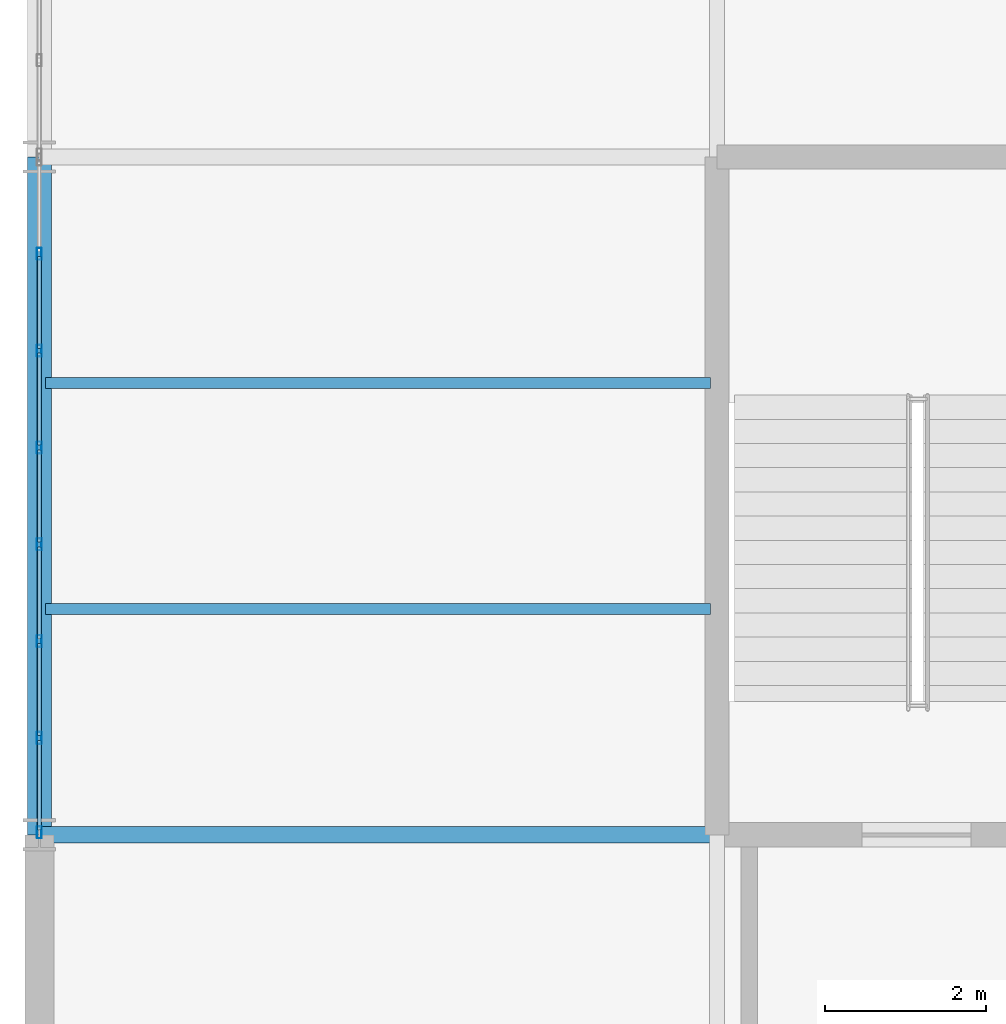
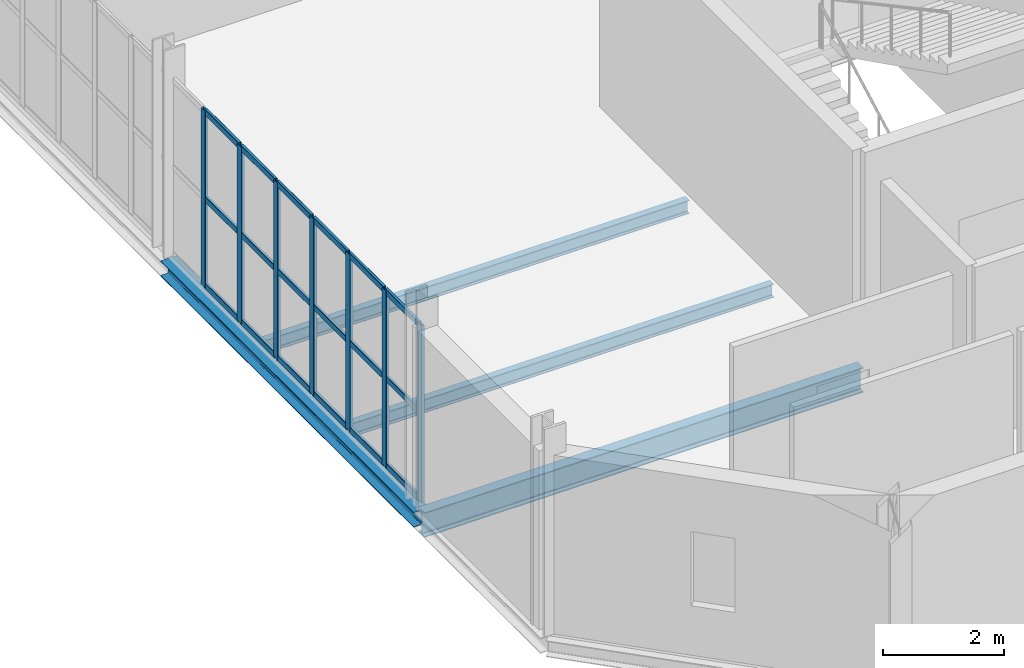
# One storey, part 26 of 163: 25 members, 4 beams, 1 element without a shape of its own.
"""IFC4 building model written with IfcOpenShell, lengths in metres."""

from ifc_helpers import new_model, si_unit, direction, frame, origin, origin_2d, place, context, subcontext, project, spatial, hollow_rectangle, i_section, extrude, material, layer, layer_set, material_profile, profile_set, type_object, element, aggregate, save


model = new_model("IFC4")

# Units and contexts
model_context = context("Model", 3, precision=1e-05, world=origin(), true_north=direction((0.0, 1.0)))
body_context = subcontext(model_context, "Body", "Model", "MODEL_VIEW")
ifc_project = project(units=[si_unit("LENGTHUNIT", "METRE"), si_unit("AREAUNIT", "SQUARE_METRE"), si_unit("VOLUMEUNIT", "CUBIC_METRE"), si_unit("PLANEANGLEUNIT", "RADIAN"), si_unit("MASSUNIT", "GRAM", prefix="KILO")], contexts=[model_context])

# Site, building, storey
site_placement = place(None, origin())
site = spatial("IfcSite", under=ifc_project, at=site_placement, CompositionType="ELEMENT")
building_placement = place(site_placement, origin())
building = spatial("IfcBuilding", under=site, at=building_placement, Name="Qalvenar Corner Mobility Hub", CompositionType="ELEMENT")
storey_placement = place(building_placement, frame((0.0, 0.0, 4.800048828125)))
storey = spatial("IfcBuildingStorey", under=building, at=storey_placement, Name="L01", CompositionType="ELEMENT", Elevation=4.800048828125)

# Beams
ifc_material_1 = material(Name="Steel S355", Category="steel")
ifc_material_profile_1 = material_profile(ifc_material_1, i_section(OverallWidth=0.199951171875, OverallDepth=0.5, WebThickness=0.01025390625, FlangeThickness=0.01611328125, FilletRadius=0.02099609375, at=origin_2d()), Name="IPE500")
ifc_profile_set_1 = profile_set([ifc_material_profile_1], Name="Steel S355")
beam_type_1 = type_object("IfcBeamType", Name="BM-IPE500", PredefinedType="BEAM", material=ifc_profile_set_1)
beam_1_placement = place(storey_placement, frame((0.0, 8.39990234375, -0.429931640625), z_axis=(1.0, 0.0, 0.0), x_axis=(0.0, 1.0, 0.0)))
element("IfcBeam", 1, at=beam_1_placement, inside=storey, type_object=beam_type_1, Name="Primary Steel Girder GX-0821", PredefinedType="BEAM", context=body_context, shape_type="SweptSolid", body=[
    extrude(i_section(OverallWidth=0.199951171875, OverallDepth=0.5, WebThickness=0.01025390625, FlangeThickness=0.01611328125, FilletRadius=0.02099609375, at=origin_2d()), origin(), (0.0, 0.0, 1.0), 8.39990234375),
])
ifc_material_profile_2 = material_profile(ifc_material_1, i_section(OverallWidth=0.135009765625, OverallDepth=0.27001953125, WebThickness=0.006591796875, FlangeThickness=0.01025390625, FilletRadius=0.014892578125, at=origin_2d()), Name="IPE270")
ifc_profile_set_2 = profile_set([ifc_material_profile_2], Name="Steel S355")
beam_type_2 = type_object("IfcBeamType", Name="BM-JST270", PredefinedType="JOIST", material=ifc_profile_set_2)
for number, where, z_axis, x_axis, name in (
    (2, (0.077880859375, 11.199951171875, -0.31494140625), (1.0, 0.0, 0.0), (0.0, 1.0, 0.0), "Composite Floor Joist J-0889"),
    (3, (0.077880859375, 14.0, -0.31494140625), (1.0, 0.0, 0.0), (0.0, 1.0, 0.0), "Composite Floor Joist J-0890"),
):
    element("IfcBeam", number, at=place(storey_placement, frame(where, z_axis=z_axis, x_axis=x_axis)), inside=storey, type_object=beam_type_2, Name=name, PredefinedType="JOIST", context=body_context, shape_type="SweptSolid", body=[
        extrude(i_section(OverallWidth=0.135009765625, OverallDepth=0.27001953125, WebThickness=0.006591796875, FlangeThickness=0.01025390625, FilletRadius=0.014892578125, at=origin_2d()), origin(), (0.0, 0.0, 1.0), 8.244140625),
    ])
ifc_material_profile_3 = material_profile(ifc_material_1, i_section(OverallWidth=0.300048828125, OverallDepth=0.31005859375, WebThickness=0.009033203125, FlangeThickness=0.015380859375, FilletRadius=0.027099609375, at=origin_2d()), Name="HEA320")
ifc_profile_set_3 = profile_set([ifc_material_profile_3], Name="Steel S355")
beam_type_3 = type_object("IfcBeamType", Name="BM-SPN320", PredefinedType="SPANDREL", material=ifc_profile_set_3)
beam_2_placement = place(storey_placement, frame((0.0, 8.39990234375, -0.3349609375), z_axis=(0.0, 1.0, 0.0), x_axis=(-1.0, 0.0, 0.0)))
element("IfcBeam", 4, at=beam_2_placement, inside=storey, type_object=beam_type_3, Name="Primary Steel Girder GY-0852", PredefinedType="SPANDREL", context=body_context, shape_type="SweptSolid", body=[
    extrude(i_section(OverallWidth=0.300048828125, OverallDepth=0.31005859375, WebThickness=0.009033203125, FlangeThickness=0.015380859375, FilletRadius=0.027099609375, at=origin_2d()), origin(), (0.0, 0.0, 1.0), 8.400146484375),
])

# Curtain wall, members
ifc_material_2 = material(Name="Anodised Aluminium and Low-E Glazing", Category="aluminium")
ifc_layer = layer(ifc_material_2, 0.14990234375)
ifc_layer_set = layer_set([ifc_layer], Name="Anodised Aluminium and Low-E Glazing")
curtain_wall_type = type_object("IfcCurtainWallType", Name="CW-CIV-84X40", PredefinedType="NOTDEFINED", material=ifc_layer_set)
curtain_wall_placement = place(storey_placement, origin())
curtain_wall = element("IfcCurtainWall", 5, at=curtain_wall_placement, inside=storey, type_object=curtain_wall_type, Name="Glazed Curtain Wall CW-V3-L01-W1", PredefinedType="NOTDEFINED")
ifc_material_3 = material(Name="Anodised Aluminium 6063-T6", Category="aluminium")
ifc_material_profile_4 = material_profile(ifc_material_3, hollow_rectangle(XDim=0.06005859375, YDim=0.14990234375, WallThickness=0.00390625, InnerFilletRadius=0.00390625, OuterFilletRadius=0.008056640625, at=origin_2d()), Name="RHS150x60x4")
ifc_profile_set_4 = profile_set([ifc_material_profile_4], Name="Anodised Aluminium 6063-T6")
member_type_1 = type_object("IfcMemberType", Name="CW-MUL150", PredefinedType="MULLION", material=ifc_profile_set_4)
member_1_placement = place(storey_placement, frame((0.0, 15.60009765625, 0.0), z_axis=(0.0, 0.0, 1.0), x_axis=(1.0, 0.0, 0.0)))
member_1 = element("IfcMember", 6, at=member_1_placement, type_object=member_type_1, Name="CW-05 mullion 2", PredefinedType="MULLION", context=body_context, shape_type="SweptSolid", body=[
    extrude(hollow_rectangle(XDim=0.06005859375, YDim=0.14990234375, WallThickness=0.00390625, InnerFilletRadius=0.00390625, OuterFilletRadius=0.008056640625, at=origin_2d()), origin(), (0.0, 0.0, 1.0), 3.570068359375),
])
member_2_placement = place(storey_placement, frame((0.0, 14.39990234375, 0.0), z_axis=(0.0, 0.0, 1.0), x_axis=(1.0, 0.0, 0.0)))
member_2 = element("IfcMember", 7, at=member_2_placement, type_object=member_type_1, Name="CW-05 mullion 3", PredefinedType="MULLION", context=body_context, shape_type="SweptSolid", body=[
    extrude(hollow_rectangle(XDim=0.06005859375, YDim=0.14990234375, WallThickness=0.00390625, InnerFilletRadius=0.00390625, OuterFilletRadius=0.008056640625, at=origin_2d()), origin(), (0.0, 0.0, 1.0), 3.570068359375),
])
member_3_placement = place(storey_placement, frame((0.0, 13.199951171875, 0.0), z_axis=(0.0, 0.0, 1.0), x_axis=(1.0, 0.0, 0.0)))
member_3 = element("IfcMember", 8, at=member_3_placement, type_object=member_type_1, Name="CW-05 mullion 4", PredefinedType="MULLION", context=body_context, shape_type="SweptSolid", body=[
    extrude(hollow_rectangle(XDim=0.06005859375, YDim=0.14990234375, WallThickness=0.00390625, InnerFilletRadius=0.00390625, OuterFilletRadius=0.008056640625, at=origin_2d()), origin(), (0.0, 0.0, 1.0), 3.570068359375),
])
member_4_placement = place(storey_placement, frame((0.0, 12.0, 0.0), z_axis=(0.0, 0.0, 1.0), x_axis=(1.0, 0.0, 0.0)))
member_4 = element("IfcMember", 9, at=member_4_placement, type_object=member_type_1, Name="CW-05 mullion 5", PredefinedType="MULLION", context=body_context, shape_type="SweptSolid", body=[
    extrude(hollow_rectangle(XDim=0.06005859375, YDim=0.14990234375, WallThickness=0.00390625, InnerFilletRadius=0.00390625, OuterFilletRadius=0.008056640625, at=origin_2d()), origin(), (0.0, 0.0, 1.0), 3.570068359375),
])
member_5_placement = place(storey_placement, frame((0.0, 10.800048828125, 0.0), z_axis=(0.0, 0.0, 1.0), x_axis=(1.0, 0.0, 0.0)))
member_5 = element("IfcMember", 10, at=member_5_placement, type_object=member_type_1, Name="CW-05 mullion 6", PredefinedType="MULLION", context=body_context, shape_type="SweptSolid", body=[
    extrude(hollow_rectangle(XDim=0.06005859375, YDim=0.14990234375, WallThickness=0.00390625, InnerFilletRadius=0.00390625, OuterFilletRadius=0.008056640625, at=origin_2d()), origin(), (0.0, 0.0, 1.0), 3.570068359375),
])
member_6_placement = place(storey_placement, frame((0.0, 9.60009765625, 0.0), z_axis=(0.0, 0.0, 1.0), x_axis=(1.0, 0.0, 0.0)))
member_6 = element("IfcMember", 11, at=member_6_placement, type_object=member_type_1, Name="CW-05 mullion 7", PredefinedType="MULLION", context=body_context, shape_type="SweptSolid", body=[
    extrude(hollow_rectangle(XDim=0.06005859375, YDim=0.14990234375, WallThickness=0.00390625, InnerFilletRadius=0.00390625, OuterFilletRadius=0.008056640625, at=origin_2d()), origin(), (0.0, 0.0, 1.0), 3.570068359375),
])
member_7_placement = place(storey_placement, frame((0.0, 8.429931640625, 0.0), z_axis=(0.0, 0.0, 1.0), x_axis=(1.0, 0.0, 0.0)))
member_7 = element("IfcMember", 12, at=member_7_placement, type_object=member_type_1, Name="CW-05 mullion 8", PredefinedType="MULLION", context=body_context, shape_type="SweptSolid", body=[
    extrude(hollow_rectangle(XDim=0.06005859375, YDim=0.14990234375, WallThickness=0.00390625, InnerFilletRadius=0.00390625, OuterFilletRadius=0.008056640625, at=origin_2d()), origin(), (0.0, 0.0, 1.0), 3.570068359375),
])
ifc_material_profile_5 = material_profile(ifc_material_3, hollow_rectangle(XDim=0.054931640625, YDim=0.1201171875, WallThickness=0.00341796875, InnerFilletRadius=0.00341796875, OuterFilletRadius=0.007080078125, at=origin_2d()), Name="RHS120x55x3.5")
ifc_profile_set_5 = profile_set([ifc_material_profile_5], Name="Anodised Aluminium 6063-T6")
member_type_2 = type_object("IfcMemberType", Name="CW-TRN120", PredefinedType="USERDEFINED", material=ifc_profile_set_5)
member_8_placement = place(storey_placement, frame((0.0, 15.570068359375, 0.02734375), z_axis=(0.0, -1.0, 0.0), x_axis=(1.0, 0.0, 0.0)))
member_8 = element("IfcMember", 13, at=member_8_placement, type_object=member_type_2, Name="CW-05 transom 2.1", ObjectType="TRANSOM", PredefinedType="USERDEFINED", context=body_context, shape_type="SweptSolid", body=[
    extrude(hollow_rectangle(XDim=0.054931640625, YDim=0.1201171875, WallThickness=0.00341796875, InnerFilletRadius=0.00341796875, OuterFilletRadius=0.007080078125, at=origin_2d()), origin(), (0.0, 0.0, 1.0), 1.14013671875),
])
member_9_placement = place(storey_placement, frame((0.0, 15.570068359375, 1.784912109375), z_axis=(0.0, -1.0, 0.0), x_axis=(1.0, 0.0, 0.0)))
member_9 = element("IfcMember", 14, at=member_9_placement, type_object=member_type_2, Name="CW-05 transom 2.2", ObjectType="TRANSOM", PredefinedType="USERDEFINED", context=body_context, shape_type="SweptSolid", body=[
    extrude(hollow_rectangle(XDim=0.054931640625, YDim=0.1201171875, WallThickness=0.00341796875, InnerFilletRadius=0.00341796875, OuterFilletRadius=0.007080078125, at=origin_2d()), origin(), (0.0, 0.0, 1.0), 1.14013671875),
])
member_10_placement = place(storey_placement, frame((0.0, 15.570068359375, 3.54248046875), z_axis=(0.0, -1.0, 0.0), x_axis=(1.0, 0.0, 0.0)))
member_10 = element("IfcMember", 15, at=member_10_placement, type_object=member_type_2, Name="CW-05 transom 2.3", ObjectType="TRANSOM", PredefinedType="USERDEFINED", context=body_context, shape_type="SweptSolid", body=[
    extrude(hollow_rectangle(XDim=0.054931640625, YDim=0.1201171875, WallThickness=0.00341796875, InnerFilletRadius=0.00341796875, OuterFilletRadius=0.007080078125, at=origin_2d()), origin(), (0.0, 0.0, 1.0), 1.14013671875),
])
member_11_placement = place(storey_placement, frame((0.0, 14.3701171875, 0.02734375), z_axis=(0.0, -1.0, 0.0), x_axis=(1.0, 0.0, 0.0)))
member_11 = element("IfcMember", 16, at=member_11_placement, type_object=member_type_2, Name="CW-05 transom 3.1", ObjectType="TRANSOM", PredefinedType="USERDEFINED", context=body_context, shape_type="SweptSolid", body=[
    extrude(hollow_rectangle(XDim=0.054931640625, YDim=0.1201171875, WallThickness=0.00341796875, InnerFilletRadius=0.00341796875, OuterFilletRadius=0.007080078125, at=origin_2d()), origin(), (0.0, 0.0, 1.0), 1.14013671875),
])
member_12_placement = place(storey_placement, frame((0.0, 14.3701171875, 1.784912109375), z_axis=(0.0, -1.0, 0.0), x_axis=(1.0, 0.0, 0.0)))
member_12 = element("IfcMember", 17, at=member_12_placement, type_object=member_type_2, Name="CW-05 transom 3.2", ObjectType="TRANSOM", PredefinedType="USERDEFINED", context=body_context, shape_type="SweptSolid", body=[
    extrude(hollow_rectangle(XDim=0.054931640625, YDim=0.1201171875, WallThickness=0.00341796875, InnerFilletRadius=0.00341796875, OuterFilletRadius=0.007080078125, at=origin_2d()), origin(), (0.0, 0.0, 1.0), 1.14013671875),
])
member_13_placement = place(storey_placement, frame((0.0, 14.3701171875, 3.54248046875), z_axis=(0.0, -1.0, 0.0), x_axis=(1.0, 0.0, 0.0)))
member_13 = element("IfcMember", 18, at=member_13_placement, type_object=member_type_2, Name="CW-05 transom 3.3", ObjectType="TRANSOM", PredefinedType="USERDEFINED", context=body_context, shape_type="SweptSolid", body=[
    extrude(hollow_rectangle(XDim=0.054931640625, YDim=0.1201171875, WallThickness=0.00341796875, InnerFilletRadius=0.00341796875, OuterFilletRadius=0.007080078125, at=origin_2d()), origin(), (0.0, 0.0, 1.0), 1.14013671875),
])
member_14_placement = place(storey_placement, frame((0.0, 13.169921875, 0.02734375), z_axis=(0.0, -1.0, 0.0), x_axis=(1.0, 0.0, 0.0)))
member_14 = element("IfcMember", 19, at=member_14_placement, type_object=member_type_2, Name="CW-05 transom 4.1", ObjectType="TRANSOM", PredefinedType="USERDEFINED", context=body_context, shape_type="SweptSolid", body=[
    extrude(hollow_rectangle(XDim=0.054931640625, YDim=0.1201171875, WallThickness=0.00341796875, InnerFilletRadius=0.00341796875, OuterFilletRadius=0.007080078125, at=origin_2d()), origin(), (0.0, 0.0, 1.0), 1.139892578125),
])
member_15_placement = place(storey_placement, frame((0.0, 13.169921875, 1.784912109375), z_axis=(0.0, -1.0, 0.0), x_axis=(1.0, 0.0, 0.0)))
member_15 = element("IfcMember", 20, at=member_15_placement, type_object=member_type_2, Name="CW-05 transom 4.2", ObjectType="TRANSOM", PredefinedType="USERDEFINED", context=body_context, shape_type="SweptSolid", body=[
    extrude(hollow_rectangle(XDim=0.054931640625, YDim=0.1201171875, WallThickness=0.00341796875, InnerFilletRadius=0.00341796875, OuterFilletRadius=0.007080078125, at=origin_2d()), origin(), (0.0, 0.0, 1.0), 1.139892578125),
])
member_16_placement = place(storey_placement, frame((0.0, 13.169921875, 3.54248046875), z_axis=(0.0, -1.0, 0.0), x_axis=(1.0, 0.0, 0.0)))
member_16 = element("IfcMember", 21, at=member_16_placement, type_object=member_type_2, Name="CW-05 transom 4.3", ObjectType="TRANSOM", PredefinedType="USERDEFINED", context=body_context, shape_type="SweptSolid", body=[
    extrude(hollow_rectangle(XDim=0.054931640625, YDim=0.1201171875, WallThickness=0.00341796875, InnerFilletRadius=0.00341796875, OuterFilletRadius=0.007080078125, at=origin_2d()), origin(), (0.0, 0.0, 1.0), 1.139892578125),
])
member_17_placement = place(storey_placement, frame((0.0, 11.969970703125, 0.02734375), z_axis=(0.0, -1.0, 0.0), x_axis=(1.0, 0.0, 0.0)))
member_17 = element("IfcMember", 22, at=member_17_placement, type_object=member_type_2, Name="CW-05 transom 5.1", ObjectType="TRANSOM", PredefinedType="USERDEFINED", context=body_context, shape_type="SweptSolid", body=[
    extrude(hollow_rectangle(XDim=0.054931640625, YDim=0.1201171875, WallThickness=0.00341796875, InnerFilletRadius=0.00341796875, OuterFilletRadius=0.007080078125, at=origin_2d()), origin(), (0.0, 0.0, 1.0), 1.139892578125),
])
member_18_placement = place(storey_placement, frame((0.0, 11.969970703125, 1.784912109375), z_axis=(0.0, -1.0, 0.0), x_axis=(1.0, 0.0, 0.0)))
member_18 = element("IfcMember", 23, at=member_18_placement, type_object=member_type_2, Name="CW-05 transom 5.2", ObjectType="TRANSOM", PredefinedType="USERDEFINED", context=body_context, shape_type="SweptSolid", body=[
    extrude(hollow_rectangle(XDim=0.054931640625, YDim=0.1201171875, WallThickness=0.00341796875, InnerFilletRadius=0.00341796875, OuterFilletRadius=0.007080078125, at=origin_2d()), origin(), (0.0, 0.0, 1.0), 1.139892578125),
])
member_19_placement = place(storey_placement, frame((0.0, 11.969970703125, 3.54248046875), z_axis=(0.0, -1.0, 0.0), x_axis=(1.0, 0.0, 0.0)))
member_19 = element("IfcMember", 24, at=member_19_placement, type_object=member_type_2, Name="CW-05 transom 5.3", ObjectType="TRANSOM", PredefinedType="USERDEFINED", context=body_context, shape_type="SweptSolid", body=[
    extrude(hollow_rectangle(XDim=0.054931640625, YDim=0.1201171875, WallThickness=0.00341796875, InnerFilletRadius=0.00341796875, OuterFilletRadius=0.007080078125, at=origin_2d()), origin(), (0.0, 0.0, 1.0), 1.139892578125),
])
member_20_placement = place(storey_placement, frame((0.0, 10.77001953125, 0.02734375), z_axis=(0.0, -1.0, 0.0), x_axis=(1.0, 0.0, 0.0)))
member_20 = element("IfcMember", 25, at=member_20_placement, type_object=member_type_2, Name="CW-05 transom 6.1", ObjectType="TRANSOM", PredefinedType="USERDEFINED", context=body_context, shape_type="SweptSolid", body=[
    extrude(hollow_rectangle(XDim=0.054931640625, YDim=0.1201171875, WallThickness=0.00341796875, InnerFilletRadius=0.00341796875, OuterFilletRadius=0.007080078125, at=origin_2d()), origin(), (0.0, 0.0, 1.0), 1.14013671875),
])
member_21_placement = place(storey_placement, frame((0.0, 10.77001953125, 1.784912109375), z_axis=(0.0, -1.0, 0.0), x_axis=(1.0, 0.0, 0.0)))
member_21 = element("IfcMember", 26, at=member_21_placement, type_object=member_type_2, Name="CW-05 transom 6.2", ObjectType="TRANSOM", PredefinedType="USERDEFINED", context=body_context, shape_type="SweptSolid", body=[
    extrude(hollow_rectangle(XDim=0.054931640625, YDim=0.1201171875, WallThickness=0.00341796875, InnerFilletRadius=0.00341796875, OuterFilletRadius=0.007080078125, at=origin_2d()), origin(), (0.0, 0.0, 1.0), 1.14013671875),
])
member_22_placement = place(storey_placement, frame((0.0, 10.77001953125, 3.54248046875), z_axis=(0.0, -1.0, 0.0), x_axis=(1.0, 0.0, 0.0)))
member_22 = element("IfcMember", 27, at=member_22_placement, type_object=member_type_2, Name="CW-05 transom 6.3", ObjectType="TRANSOM", PredefinedType="USERDEFINED", context=body_context, shape_type="SweptSolid", body=[
    extrude(hollow_rectangle(XDim=0.054931640625, YDim=0.1201171875, WallThickness=0.00341796875, InnerFilletRadius=0.00341796875, OuterFilletRadius=0.007080078125, at=origin_2d()), origin(), (0.0, 0.0, 1.0), 1.14013671875),
])
member_23_placement = place(storey_placement, frame((0.0, 9.570068359375, 0.02734375), z_axis=(0.0, -1.0, 0.0), x_axis=(1.0, 0.0, 0.0)))
member_23 = element("IfcMember", 28, at=member_23_placement, type_object=member_type_2, Name="CW-05 transom 7.1", ObjectType="TRANSOM", PredefinedType="USERDEFINED", context=body_context, shape_type="SweptSolid", body=[
    extrude(hollow_rectangle(XDim=0.054931640625, YDim=0.1201171875, WallThickness=0.00341796875, InnerFilletRadius=0.00341796875, OuterFilletRadius=0.007080078125, at=origin_2d()), origin(), (0.0, 0.0, 1.0), 1.110107421875),
])
member_24_placement = place(storey_placement, frame((0.0, 9.570068359375, 1.784912109375), z_axis=(0.0, -1.0, 0.0), x_axis=(1.0, 0.0, 0.0)))
member_24 = element("IfcMember", 29, at=member_24_placement, type_object=member_type_2, Name="CW-05 transom 7.2", ObjectType="TRANSOM", PredefinedType="USERDEFINED", context=body_context, shape_type="SweptSolid", body=[
    extrude(hollow_rectangle(XDim=0.054931640625, YDim=0.1201171875, WallThickness=0.00341796875, InnerFilletRadius=0.00341796875, OuterFilletRadius=0.007080078125, at=origin_2d()), origin(), (0.0, 0.0, 1.0), 1.110107421875),
])
member_25_placement = place(storey_placement, frame((0.0, 9.570068359375, 3.54248046875), z_axis=(0.0, -1.0, 0.0), x_axis=(1.0, 0.0, 0.0)))
member_25 = element("IfcMember", 30, at=member_25_placement, type_object=member_type_2, Name="CW-05 transom 7.3", ObjectType="TRANSOM", PredefinedType="USERDEFINED", context=body_context, shape_type="SweptSolid", body=[
    extrude(hollow_rectangle(XDim=0.054931640625, YDim=0.1201171875, WallThickness=0.00341796875, InnerFilletRadius=0.00341796875, OuterFilletRadius=0.007080078125, at=origin_2d()), origin(), (0.0, 0.0, 1.0), 1.110107421875),
])
aggregate(curtain_wall, [member_1, member_2, member_3, member_4, member_5, member_6, member_7, member_8, member_9, member_10, member_11, member_12, member_13, member_14, member_15, member_16, member_17, member_18, member_19, member_20, member_21, member_22, member_23, member_24, member_25])

save(model, "model.ifc")
